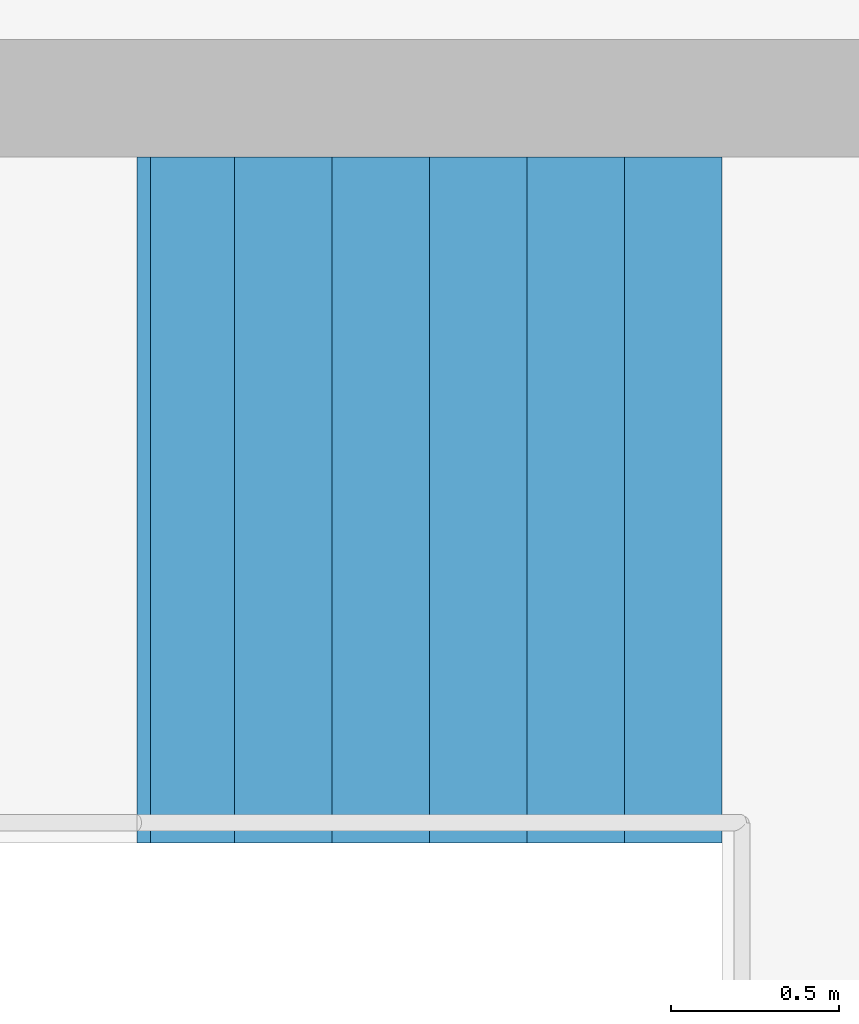
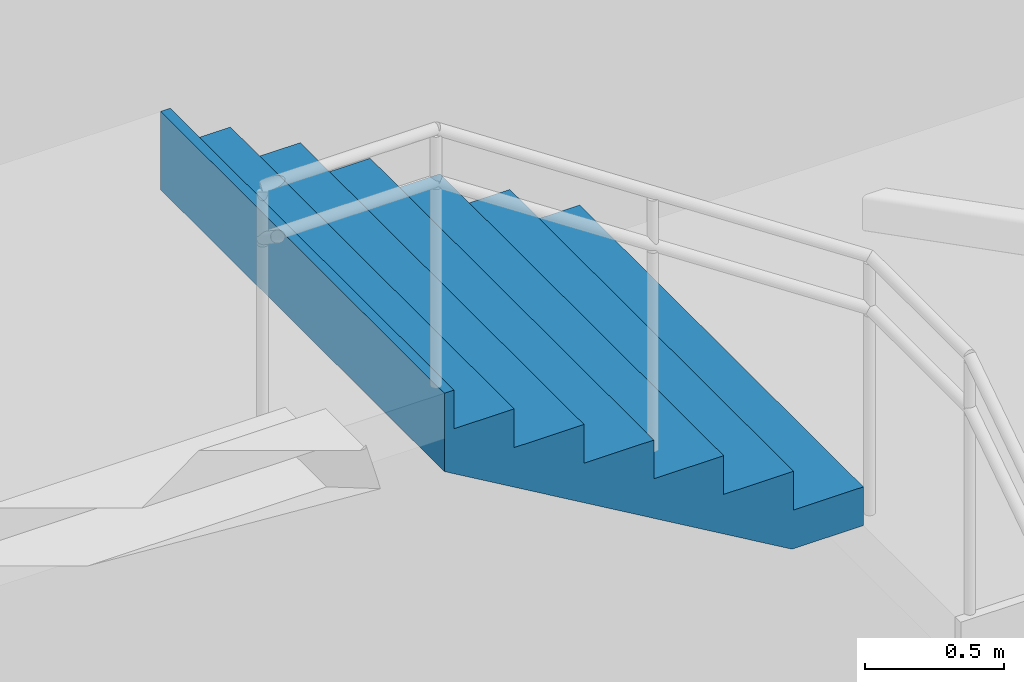
# One storey, part 66 of 69: 1 stair flight, 1 element without a shape of its own.
"""IFC4 building model written with IfcOpenShell, lengths in metres."""

from ifc_helpers import new_model, si_unit, direction, frame, origin, place, context, subcontext, project, spatial, triangles, material, type_object, element, aggregate, save


model = new_model("IFC4")

# Units and contexts
model_context = context("Model", 3, precision=1e-05, world=origin(), true_north=direction((0.0, 1.0)))
body_context = subcontext(model_context, "Body", "Model", "MODEL_VIEW")
ifc_project = project(units=[si_unit("LENGTHUNIT", "METRE"), si_unit("AREAUNIT", "SQUARE_METRE"), si_unit("VOLUMEUNIT", "CUBIC_METRE"), si_unit("PLANEANGLEUNIT", "RADIAN"), si_unit("MASSUNIT", "GRAM", prefix="KILO")], contexts=[model_context])

# Site, building, storey
site_placement = place(None, origin())
site = spatial("IfcSite", under=ifc_project, at=site_placement, CompositionType="ELEMENT")
building_placement = place(site_placement, origin())
building = spatial("IfcBuilding", under=site, at=building_placement, Name="Sillaruma Civic Art Gallery", CompositionType="ELEMENT")
storey_placement = place(building_placement, frame((0.0, 0.0, 42.330078125)))
storey = spatial("IfcBuildingStorey", under=building, at=storey_placement, Name="L08", CompositionType="ELEMENT", Elevation=42.330078125)

# Stair, stair flight
ifc_material = material(Name="Concrete H35 (35 MPa)", Category="concrete")
stair_type = type_object("IfcStairType", Name="STR-4F-27", PredefinedType="USERDEFINED", material=ifc_material)
stair_placement = place(storey_placement, origin())
stair = element("IfcStair", 1, at=stair_placement, inside=storey, type_object=stair_type, Name="Protected Exit Stair ST-02 (West Bar North) (L08)", ObjectType="THREE_RETURN_STAIR", PredefinedType="USERDEFINED")
stair_flight_type = type_object("IfcStairFlightType", Name="SFL-STR-7", PredefinedType="STRAIGHT", material=ifc_material)
stair_flight_placement = place(storey_placement, frame((67.199951171875, 86.3701171875, 2.3798828125), z_axis=(0.0, 0.0, 1.0), x_axis=(-1.0, 0.0, 0.0)))
stair_flight = element("IfcStairFlight", 2, at=stair_flight_placement, type_object=stair_flight_type, Name="ST-02 flight 3", NumberOfRisers=7, NumberOfTreads=6, PredefinedType="STRAIGHT", RiserHeight=0.17, TreadLength=0.29, context=body_context, shape_type="Tessellation", body=[
    triangles([(0.0, -1.02001953125, 0.0), (0.29, -1.02001953125, 0.0), (0.296404, -1.02001953125, 0.0), (0.58, -1.02001953125, 0.166246), (0.87, -1.02001953125, 0.336246), (1.16, -1.02001953125, 0.506246), (1.45, -1.02001953125, 0.676246), (1.69999, -1.02001953125, 0.822792), (1.73999, -1.02001953125, 0.84624), (1.73999, -1.02001953125, 1.19), (1.69999, -1.02001953125, 1.19), (1.69999, -1.02001953125, 1.02), (1.45, -1.02001953125, 1.02), (1.45, -1.02001953125, 0.85), (1.16, -1.02001953125, 0.85), (1.16, -1.02001953125, 0.68), (0.87, -1.02001953125, 0.68), (0.87, -1.02001953125, 0.51), (0.58, -1.02001953125, 0.51), (0.58, -1.02001953125, 0.34), (0.296404, -1.02001953125, 0.34), (0.29, -1.02001953125, 0.34), (0.29, -1.02001953125, 0.17), (0.0, -1.02001953125, 0.17), (0.0, -0.05, 0.0), (0.29, -0.05, 0.0), (0.296404, -0.05, 0.0), (0.58, -0.05, 0.166246), (0.87, -0.05, 0.336246), (1.16, -0.05, 0.506246), (1.45, -0.05, 0.676246), (1.69999, -0.05, 0.822792), (1.73999, -0.05, 0.84624), (1.73999, -0.05, 1.19), (1.69999, -0.05, 1.19), (1.69999, -0.05, 1.02), (1.45, -0.05, 1.02), (1.45, -0.05, 0.85), (1.16, -0.05, 0.85), (1.16, -0.05, 0.68), (0.87, -0.05, 0.68), (0.87, -0.05, 0.51), (0.58, -0.05, 0.51), (0.58, -0.05, 0.34), (0.296404, -0.05, 0.34), (0.29, -0.05, 0.34), (0.29, -0.05, 0.17), (0.0, -0.05, 0.17), (0.0, -0.0375, 0.0), (0.29, -0.0375, 0.0), (0.296404, -0.0375, 0.0), (0.58, -0.0375, 0.166246), (0.87, -0.0375, 0.336246), (1.16, -0.0375, 0.506246), (1.45, -0.0375, 0.676246), (1.69999, -0.0375, 0.822792), (1.73999, -0.0375, 0.84624), (1.73999, -0.0375, 1.19), (1.69999, -0.0375, 1.19), (1.69999, -0.0375, 1.02), (1.45, -0.0375, 1.02), (1.45, -0.0375, 0.85), (1.16, -0.0375, 0.85), (1.16, -0.0375, 0.68), (0.87, -0.0375, 0.68), (0.87, -0.0375, 0.51), (0.58, -0.0375, 0.51), (0.58, -0.0375, 0.34), (0.296404, -0.0375, 0.34), (0.29, -0.0375, 0.34), (0.29, -0.0375, 0.17), (0.0, -0.0375, 0.17), (0.0, -0.025, 0.0), (0.29, -0.025, 0.0), (0.296404, -0.025, 0.0), (0.58, -0.025, 0.166246), (0.87, -0.025, 0.336246), (1.16, -0.025, 0.506246), (1.45, -0.025, 0.676246), (1.69999, -0.025, 0.822792), (1.73999, -0.025, 0.84624), (1.73999, -0.025, 1.19), (1.69999, -0.025, 1.19), (1.69999, -0.025, 1.02), (1.45, -0.025, 1.02), (1.45, -0.025, 0.85), (1.16, -0.025, 0.85), (1.16, -0.025, 0.68), (0.87, -0.025, 0.68), (0.87, -0.025, 0.51), (0.58, -0.025, 0.51), (0.58, -0.025, 0.34), (0.296404, -0.025, 0.34), (0.29, -0.025, 0.34), (0.29, -0.025, 0.17), (0.0, -0.025, 0.17), (0.0, -0.0125, 0.0), (0.29, -0.0125, 0.0), (0.296404, -0.0125, 0.0), (0.58, -0.0125, 0.166246), (0.87, -0.0125, 0.336246), (1.16, -0.0125, 0.506246), (1.45, -0.0125, 0.676246), (1.69999, -0.0125, 0.822792), (1.73999, -0.0125, 0.84624), (1.73999, -0.0125, 1.19), (1.69999, -0.0125, 1.19), (1.69999, -0.0125, 1.02), (1.45, -0.0125, 1.02), (1.45, -0.0125, 0.85), (1.16, -0.0125, 0.85), (1.16, -0.0125, 0.68), (0.87, -0.0125, 0.68), (0.87, -0.0125, 0.51), (0.58, -0.0125, 0.51), (0.58, -0.0125, 0.34), (0.296404, -0.0125, 0.34), (0.29, -0.0125, 0.34), (0.29, -0.0125, 0.17), (0.0, -0.0125, 0.17), (0.0, 0.0, 0.0), (0.29, 0.0, 0.0), (0.296404, 0.0, 0.0), (0.58, 0.0, 0.166246), (0.87, 0.0, 0.336246), (1.16, 0.0, 0.506246), (1.45, 0.0, 0.676246), (1.69999, 0.0, 0.822792), (1.73999, 0.0, 0.84624), (1.73999, 0.0, 1.19), (1.69999, 0.0, 1.19), (1.69999, 0.0, 1.02), (1.45, 0.0, 1.02), (1.45, 0.0, 0.85), (1.16, 0.0, 0.85), (1.16, 0.0, 0.68), (0.87, 0.0, 0.68), (0.87, 0.0, 0.51), (0.58, 0.0, 0.51), (0.58, 0.0, 0.34), (0.296404, 0.0, 0.34), (0.29, 0.0, 0.34), (0.29, 0.0, 0.17), (0.0, 0.0, 0.17), (0.0, 0.0125, 0.0), (0.29, 0.0125, 0.0), (0.296404, 0.0125, 0.0), (0.58, 0.0125, 0.166246), (0.87, 0.0125, 0.336246), (1.16, 0.0125, 0.506246), (1.45, 0.0125, 0.676246), (1.69999, 0.0125, 0.822792), (1.73999, 0.0125, 0.84624), (1.73999, 0.0125, 1.19), (1.69999, 0.0125, 1.19), (1.69999, 0.0125, 1.02), (1.45, 0.0125, 1.02), (1.45, 0.0125, 0.85), (1.16, 0.0125, 0.85), (1.16, 0.0125, 0.68), (0.87, 0.0125, 0.68), (0.87, 0.0125, 0.51), (0.58, 0.0125, 0.51), (0.58, 0.0125, 0.34), (0.296404, 0.0125, 0.34), (0.29, 0.0125, 0.34), (0.29, 0.0125, 0.17), (0.0, 0.0125, 0.17), (0.0, 0.025, 0.0), (0.29, 0.025, 0.0), (0.296404, 0.025, 0.0), (0.58, 0.025, 0.166246), (0.87, 0.025, 0.336246), (1.16, 0.025, 0.506246), (1.45, 0.025, 0.676246), (1.69999, 0.025, 0.822792), (1.73999, 0.025, 0.84624), (1.73999, 0.025, 1.19), (1.69999, 0.025, 1.19), (1.69999, 0.025, 1.02), (1.45, 0.025, 1.02), (1.45, 0.025, 0.85), (1.16, 0.025, 0.85), (1.16, 0.025, 0.68), (0.87, 0.025, 0.68), (0.87, 0.025, 0.51), (0.58, 0.025, 0.51), (0.58, 0.025, 0.34), (0.296404, 0.025, 0.34), (0.29, 0.025, 0.34), (0.29, 0.025, 0.17), (0.0, 0.025, 0.17), (0.0, 0.0375, 0.0), (0.29, 0.0375, 0.0), (0.296404, 0.0375, 0.0), (0.58, 0.0375, 0.166246), (0.87, 0.0375, 0.336246), (1.16, 0.0375, 0.506246), (1.45, 0.0375, 0.676246), (1.69999, 0.0375, 0.822792), (1.73999, 0.0375, 0.84624), (1.73999, 0.0375, 1.19), (1.69999, 0.0375, 1.19), (1.69999, 0.0375, 1.02), (1.45, 0.0375, 1.02), (1.45, 0.0375, 0.85), (1.16, 0.0375, 0.85), (1.16, 0.0375, 0.68), (0.87, 0.0375, 0.68), (0.87, 0.0375, 0.51), (0.58, 0.0375, 0.51), (0.58, 0.0375, 0.34), (0.296404, 0.0375, 0.34), (0.29, 0.0375, 0.34), (0.29, 0.0375, 0.17), (0.0, 0.0375, 0.17), (0.0, 0.05, 0.0), (0.29, 0.05, 0.0), (0.296404, 0.05, 0.0), (0.58, 0.05, 0.166246), (0.87, 0.05, 0.336246), (1.16, 0.05, 0.506246), (1.45, 0.05, 0.676246), (1.69999, 0.05, 0.822792), (1.73999, 0.05, 0.84624), (1.73999, 0.05, 1.19), (1.69999, 0.05, 1.19), (1.69999, 0.05, 1.02), (1.45, 0.05, 1.02), (1.45, 0.05, 0.85), (1.16, 0.05, 0.85), (1.16, 0.05, 0.68), (0.87, 0.05, 0.68), (0.87, 0.05, 0.51), (0.58, 0.05, 0.51), (0.58, 0.05, 0.34), (0.296404, 0.05, 0.34), (0.29, 0.05, 0.34), (0.29, 0.05, 0.17), (0.0, 0.05, 0.17), (0.0, 1.02001953125, 0.0), (0.29, 1.02001953125, 0.0), (0.296404, 1.02001953125, 0.0), (0.58, 1.02001953125, 0.166246), (0.87, 1.02001953125, 0.336246), (1.16, 1.02001953125, 0.506246), (1.45, 1.02001953125, 0.676246), (1.69999, 1.02001953125, 0.822792), (1.73999, 1.02001953125, 0.84624), (1.73999, 1.02001953125, 1.19), (1.69999, 1.02001953125, 1.19), (1.69999, 1.02001953125, 1.02), (1.45, 1.02001953125, 1.02), (1.45, 1.02001953125, 0.85), (1.16, 1.02001953125, 0.85), (1.16, 1.02001953125, 0.68), (0.87, 1.02001953125, 0.68), (0.87, 1.02001953125, 0.51), (0.58, 1.02001953125, 0.51), (0.58, 1.02001953125, 0.34), (0.296404, 1.02001953125, 0.34), (0.29, 1.02001953125, 0.34), (0.29, 1.02001953125, 0.17), (0.0, 1.02001953125, 0.17)], [[1, 2, 23], [1, 23, 24], [2, 3, 21], [2, 21, 23], [23, 21, 22], [3, 4, 20], [3, 20, 21], [4, 5, 18], [4, 18, 20], [20, 18, 19], [5, 6, 16], [5, 16, 18], [18, 16, 17], [6, 7, 14], [6, 14, 16], [16, 14, 15], [7, 8, 12], [7, 12, 14], [14, 12, 13], [8, 9, 10], [8, 10, 12], [12, 10, 11], [263, 242, 241], [264, 263, 241], [261, 243, 242], [263, 261, 242], [262, 261, 263], [260, 244, 243], [261, 260, 243], [258, 245, 244], [260, 258, 244], [259, 258, 260], [256, 246, 245], [258, 256, 245], [257, 256, 258], [254, 247, 246], [256, 254, 246], [255, 254, 256], [252, 248, 247], [254, 252, 247], [253, 252, 254], [250, 249, 248], [252, 250, 248], [251, 250, 252], [2, 1, 25], [2, 25, 26], [3, 2, 26], [3, 26, 27], [4, 3, 27], [4, 27, 28], [5, 4, 28], [5, 28, 29], [6, 5, 29], [6, 29, 30], [7, 6, 30], [7, 30, 31], [8, 7, 31], [8, 31, 32], [9, 8, 32], [9, 32, 33], [10, 9, 33], [10, 33, 34], [11, 10, 34], [11, 34, 35], [12, 11, 35], [12, 35, 36], [13, 12, 36], [13, 36, 37], [14, 13, 37], [14, 37, 38], [15, 14, 38], [15, 38, 39], [16, 15, 39], [16, 39, 40], [17, 16, 40], [17, 40, 41], [18, 17, 41], [18, 41, 42], [19, 18, 42], [19, 42, 43], [20, 19, 43], [20, 43, 44], [21, 20, 44], [21, 44, 45], [22, 21, 45], [22, 45, 46], [23, 22, 46], [23, 46, 47], [24, 23, 47], [24, 47, 48], [1, 24, 48], [1, 48, 25], [26, 25, 49], [26, 49, 50], [27, 26, 50], [27, 50, 51], [28, 27, 51], [28, 51, 52], [29, 28, 52], [29, 52, 53], [30, 29, 53], [30, 53, 54], [31, 30, 54], [31, 54, 55], [32, 31, 55], [32, 55, 56], [33, 32, 56], [33, 56, 57], [34, 33, 57], [34, 57, 58], [35, 34, 58], [35, 58, 59], [36, 35, 59], [36, 59, 60], [37, 36, 60], [37, 60, 61], [38, 37, 61], [38, 61, 62], [39, 38, 62], [39, 62, 63], [40, 39, 63], [40, 63, 64], [41, 40, 64], [41, 64, 65], [42, 41, 65], [42, 65, 66], [43, 42, 66], [43, 66, 67], [44, 43, 67], [44, 67, 68], [45, 44, 68], [45, 68, 69], [46, 45, 69], [46, 69, 70], [47, 46, 70], [47, 70, 71], [48, 47, 71], [48, 71, 72], [25, 48, 72], [25, 72, 49], [50, 49, 73], [50, 73, 74], [51, 50, 74], [51, 74, 75], [52, 51, 75], [52, 75, 76], [53, 52, 76], [53, 76, 77], [54, 53, 77], [54, 77, 78], [55, 54, 78], [55, 78, 79], [56, 55, 79], [56, 79, 80], [57, 56, 80], [57, 80, 81], [58, 57, 81], [58, 81, 82], [59, 58, 82], [59, 82, 83], [60, 59, 83], [60, 83, 84], [61, 60, 84], [61, 84, 85], [62, 61, 85], [62, 85, 86], [63, 62, 86], [63, 86, 87], [64, 63, 87], [64, 87, 88], [65, 64, 88], [65, 88, 89], [66, 65, 89], [66, 89, 90], [67, 66, 90], [67, 90, 91], [68, 67, 91], [68, 91, 92], [69, 68, 92], [69, 92, 93], [70, 69, 93], [70, 93, 94], [71, 70, 94], [71, 94, 95], [72, 71, 95], [72, 95, 96], [49, 72, 96], [49, 96, 73], [74, 73, 97], [74, 97, 98], [75, 74, 98], [75, 98, 99], [76, 75, 99], [76, 99, 100], [77, 76, 100], [77, 100, 101], [78, 77, 101], [78, 101, 102], [79, 78, 102], [79, 102, 103], [80, 79, 103], [80, 103, 104], [81, 80, 104], [81, 104, 105], [82, 81, 105], [82, 105, 106], [83, 82, 106], [83, 106, 107], [84, 83, 107], [84, 107, 108], [85, 84, 108], [85, 108, 109], [86, 85, 109], [86, 109, 110], [87, 86, 110], [87, 110, 111], [88, 87, 111], [88, 111, 112], [89, 88, 112], [89, 112, 113], [90, 89, 113], [90, 113, 114], [91, 90, 114], [91, 114, 115], [92, 91, 115], [92, 115, 116], [93, 92, 116], [93, 116, 117], [94, 93, 117], [94, 117, 118], [95, 94, 118], [95, 118, 119], [96, 95, 119], [96, 119, 120], [73, 96, 120], [73, 120, 97], [98, 97, 121], [98, 121, 122], [99, 98, 122], [99, 122, 123], [100, 99, 123], [100, 123, 124], [101, 100, 124], [101, 124, 125], [102, 101, 125], [102, 125, 126], [103, 102, 126], [103, 126, 127], [104, 103, 127], [104, 127, 128], [105, 104, 128], [105, 128, 129], [106, 105, 129], [106, 129, 130], [107, 106, 130], [107, 130, 131], [108, 107, 131], [108, 131, 132], [109, 108, 132], [109, 132, 133], [110, 109, 133], [110, 133, 134], [111, 110, 134], [111, 134, 135], [112, 111, 135], [112, 135, 136], [113, 112, 136], [113, 136, 137], [114, 113, 137], [114, 137, 138], [115, 114, 138], [115, 138, 139], [116, 115, 139], [116, 139, 140], [117, 116, 140], [117, 140, 141], [118, 117, 141], [118, 141, 142], [119, 118, 142], [119, 142, 143], [120, 119, 143], [120, 143, 144], [97, 120, 144], [97, 144, 121], [122, 121, 145], [122, 145, 146], [123, 122, 146], [123, 146, 147], [124, 123, 147], [124, 147, 148], [125, 124, 148], [125, 148, 149], [126, 125, 149], [126, 149, 150], [127, 126, 150], [127, 150, 151], [128, 127, 151], [128, 151, 152], [129, 128, 152], [129, 152, 153], [130, 129, 153], [130, 153, 154], [131, 130, 154], [131, 154, 155], [132, 131, 155], [132, 155, 156], [133, 132, 156], [133, 156, 157], [134, 133, 157], [134, 157, 158], [135, 134, 158], [135, 158, 159], [136, 135, 159], [136, 159, 160], [137, 136, 160], [137, 160, 161], [138, 137, 161], [138, 161, 162], [139, 138, 162], [139, 162, 163], [140, 139, 163], [140, 163, 164], [141, 140, 164], [141, 164, 165], [142, 141, 165], [142, 165, 166], [143, 142, 166], [143, 166, 167], [144, 143, 167], [144, 167, 168], [121, 144, 168], [121, 168, 145], [146, 145, 169], [146, 169, 170], [147, 146, 170], [147, 170, 171], [148, 147, 171], [148, 171, 172], [149, 148, 172], [149, 172, 173], [150, 149, 173], [150, 173, 174], [151, 150, 174], [151, 174, 175], [152, 151, 175], [152, 175, 176], [153, 152, 176], [153, 176, 177], [154, 153, 177], [154, 177, 178], [155, 154, 178], [155, 178, 179], [156, 155, 179], [156, 179, 180], [157, 156, 180], [157, 180, 181], [158, 157, 181], [158, 181, 182], [159, 158, 182], [159, 182, 183], [160, 159, 183], [160, 183, 184], [161, 160, 184], [161, 184, 185], [162, 161, 185], [162, 185, 186], [163, 162, 186], [163, 186, 187], [164, 163, 187], [164, 187, 188], [165, 164, 188], [165, 188, 189], [166, 165, 189], [166, 189, 190], [167, 166, 190], [167, 190, 191], [168, 167, 191], [168, 191, 192], [145, 168, 192], [145, 192, 169], [170, 169, 193], [170, 193, 194], [171, 170, 194], [171, 194, 195], [172, 171, 195], [172, 195, 196], [173, 172, 196], [173, 196, 197], [174, 173, 197], [174, 197, 198], [175, 174, 198], [175, 198, 199], [176, 175, 199], [176, 199, 200], [177, 176, 200], [177, 200, 201], [178, 177, 201], [178, 201, 202], [179, 178, 202], [179, 202, 203], [180, 179, 203], [180, 203, 204], [181, 180, 204], [181, 204, 205], [182, 181, 205], [182, 205, 206], [183, 182, 206], [183, 206, 207], [184, 183, 207], [184, 207, 208], [185, 184, 208], [185, 208, 209], [186, 185, 209], [186, 209, 210], [187, 186, 210], [187, 210, 211], [188, 187, 211], [188, 211, 212], [189, 188, 212], [189, 212, 213], [190, 189, 213], [190, 213, 214], [191, 190, 214], [191, 214, 215], [192, 191, 215], [192, 215, 216], [169, 192, 216], [169, 216, 193], [194, 193, 217], [194, 217, 218], [195, 194, 218], [195, 218, 219], [196, 195, 219], [196, 219, 220], [197, 196, 220], [197, 220, 221], [198, 197, 221], [198, 221, 222], [199, 198, 222], [199, 222, 223], [200, 199, 223], [200, 223, 224], [201, 200, 224], [201, 224, 225], [202, 201, 225], [202, 225, 226], [203, 202, 226], [203, 226, 227], [204, 203, 227], [204, 227, 228], [205, 204, 228], [205, 228, 229], [206, 205, 229], [206, 229, 230], [207, 206, 230], [207, 230, 231], [208, 207, 231], [208, 231, 232], [209, 208, 232], [209, 232, 233], [210, 209, 233], [210, 233, 234], [211, 210, 234], [211, 234, 235], [212, 211, 235], [212, 235, 236], [213, 212, 236], [213, 236, 237], [214, 213, 237], [214, 237, 238], [215, 214, 238], [215, 238, 239], [216, 215, 239], [216, 239, 240], [193, 216, 240], [193, 240, 217], [218, 217, 241], [218, 241, 242], [219, 218, 242], [219, 242, 243], [220, 219, 243], [220, 243, 244], [221, 220, 244], [221, 244, 245], [222, 221, 245], [222, 245, 246], [223, 222, 246], [223, 246, 247], [224, 223, 247], [224, 247, 248], [225, 224, 248], [225, 248, 249], [226, 225, 249], [226, 249, 250], [227, 226, 250], [227, 250, 251], [228, 227, 251], [228, 251, 252], [229, 228, 252], [229, 252, 253], [230, 229, 253], [230, 253, 254], [231, 230, 254], [231, 254, 255], [232, 231, 255], [232, 255, 256], [233, 232, 256], [233, 256, 257], [234, 233, 257], [234, 257, 258], [235, 234, 258], [235, 258, 259], [236, 235, 259], [236, 259, 260], [237, 236, 260], [237, 260, 261], [238, 237, 261], [238, 261, 262], [239, 238, 262], [239, 262, 263], [240, 239, 263], [240, 263, 264], [217, 240, 264], [217, 264, 241]], closed=True),
])
aggregate(stair, [stair_flight])

save(model, "model.ifc")
